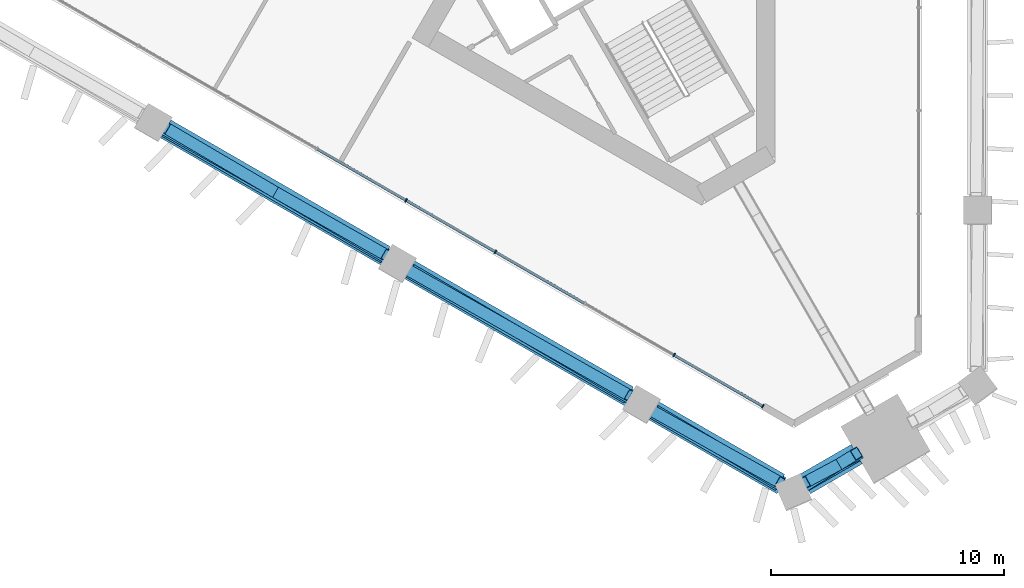
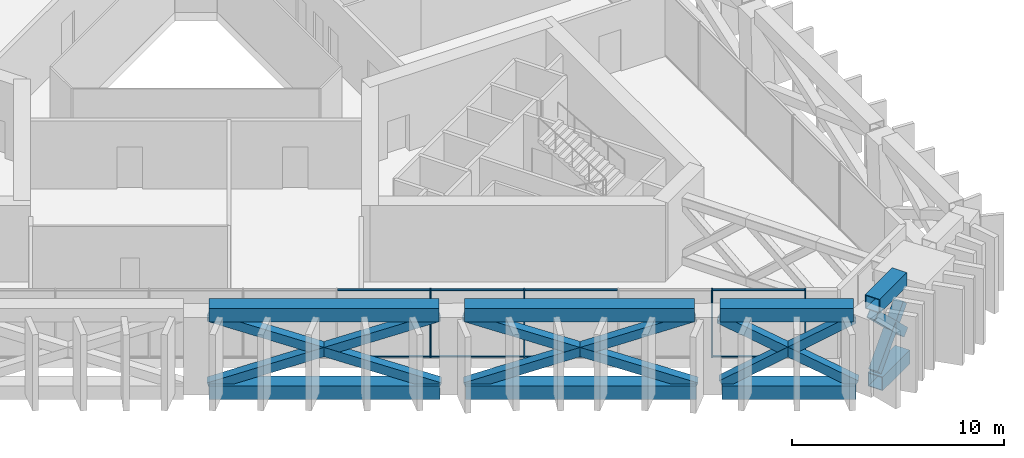
# One storey, part 3 of 18: 28 members, 1 element without a shape of its own.
"""IFC4 building model written with IfcOpenShell, lengths in metres."""

import ifcopenshell
import ifcopenshell.guid

model = None  # the IFC model being written
_history = None  # IfcOwnerHistory: only IFC2X3 demands one
_inside = {}  # id of a spatial element -> (the spatial element, [elements in it])
_under = {}  # id of a project, library or spatial element -> (it, [spatial elements below it])
_declared = {}  # id of a project -> (the project, [libraries it declares])
_typed = {}  # id of a type object -> (the type object, [elements of that type])
_made_of = {}  # id of a material, layer set ... -> (it, [elements and type objects made of it])


def new_model(schema):
    """Start an empty IFC model of exactly this schema.

    Asked for "IFC4X3", IfcOpenShell would pick the latest addendum, in which some entities
    have other attributes; the version numbers below select the first issue.
    IFC2X3 requires an IfcOwnerHistory on every rooted entity: one is made here for all.
    """
    global model, _history
    if schema == "IFC4X3":
        model = ifcopenshell.file(schema_version=(4, 3, 0, 0))
    else:
        model = ifcopenshell.file(schema=schema)
    _inside.clear()
    _under.clear()
    _declared.clear()
    _typed.clear()
    _made_of.clear()
    _history = None
    if model.schema == "IFC2X3":
        org = make("IfcOrganization", Name="unknown")
        user = make(
            "IfcPersonAndOrganization",
            ThePerson=make("IfcPerson", FamilyName="unknown"),
            TheOrganization=org,
        )
        app = make(
            "IfcApplication",
            ApplicationDeveloper=org,
            Version="unknown",
            ApplicationFullName="unknown",
            ApplicationIdentifier="unknown",
        )
        _history = make(
            "IfcOwnerHistory",
            OwningUser=user,
            OwningApplication=app,
            ChangeAction="ADDED",
            CreationDate=0,
        )
    return model


def make(cls, **values):
    """One entity of the class cls with the attributes given. An attribute that is None is left unset."""
    return model.create_entity(
        cls, **{name: value for name, value in values.items() if value is not None}
    )


def rooted(cls, **values):
    """An entity with a GlobalId (a new one), such as an element, a storey or a relation."""
    return make(cls, GlobalId=ifcopenshell.guid.new(), OwnerHistory=_history, **values)


def si_unit(unit_type, name, prefix=None):
    """IfcSIUnit, for example si_unit("LENGTHUNIT", "METRE", prefix="MILLI")."""
    return make("IfcSIUnit", UnitType=unit_type, Prefix=prefix, Name=name)


def assignment(units):
    """IfcUnitAssignment: the units of a project."""
    return None if units is None else make("IfcUnitAssignment", Units=units)


def point(xyz):
    """IfcCartesianPoint."""
    return None if xyz is None else make("IfcCartesianPoint", Coordinates=xyz)


def direction(xyz):
    """IfcDirection."""
    return None if xyz is None else make("IfcDirection", DirectionRatios=xyz)


def frame(location, z_axis=None, x_axis=None):
    """IfcAxis2Placement3D, a coordinate frame: its origin and axes. An axis left out is left unset."""
    return make(
        "IfcAxis2Placement3D",
        Location=point(location),
        Axis=direction(z_axis),
        RefDirection=direction(x_axis),
    )


def frame_2d(location, x_axis=None):
    """IfcAxis2Placement2D, a coordinate frame in the plane: its origin and x axis."""
    return make(
        "IfcAxis2Placement2D", Location=point(location), RefDirection=direction(x_axis)
    )


def origin():
    """The frame at (0, 0, 0) with its axes left unset."""
    return frame((0.0, 0.0, 0.0))


def origin_2d():
    """The frame at (0, 0) in the plane with its x axis left unset."""
    return frame_2d((0.0, 0.0))


def place(relative_to, where):
    """IfcLocalPlacement: puts the frame where relative to a parent placement (None: the world)."""
    return make(
        "IfcLocalPlacement", PlacementRelTo=relative_to, RelativePlacement=where
    )


def context(
    kind, dimensions, precision=None, world=None, true_north=None, identifier=None
):
    """IfcGeometricRepresentationContext, for example the 3D "Model" context."""
    return make(
        "IfcGeometricRepresentationContext",
        ContextIdentifier=identifier,
        ContextType=kind,
        CoordinateSpaceDimension=dimensions,
        Precision=precision,
        WorldCoordinateSystem=world,
        TrueNorth=true_north,
    )


def subcontext(parent, identifier, kind, view, scale=None):
    """IfcGeometricRepresentationSubContext, for example "Body" below "Model"."""
    return make(
        "IfcGeometricRepresentationSubContext",
        ContextIdentifier=identifier,
        ContextType=kind,
        ParentContext=parent,
        TargetScale=scale,
        TargetView=view,
    )


def project(units=None, contexts=None):
    """IfcProject with its units and contexts."""
    return rooted(
        "IfcProject",
        Name="project",
        RepresentationContexts=contexts,
        UnitsInContext=assignment(units),
    )


def spatial(cls, under=None, at=None, **own):
    """A site, building, storey or space (cls), placed at a placement, below another one or the project."""
    s = rooted(cls, ObjectPlacement=at, **own)
    if under is not None:
        _under.setdefault(under.id(), (under, []))[1].append(s)
    return s


def profile(cls, at=None, kind="AREA", **sizes):
    """A parametric profile (cls). Its sizes go by their IFC names, for example OverallWidth=200.0."""
    return make(cls, ProfileType=kind, Position=at, **sizes)


def rectangle(**sizes):
    """IfcRectangleProfileDef."""
    return profile("IfcRectangleProfileDef", **sizes)


def hollow_rectangle(**sizes):
    """IfcRectangleHollowProfileDef."""
    return profile("IfcRectangleHollowProfileDef", **sizes)


def extrude(swept, where, along, depth):
    """IfcExtrudedAreaSolid: the profile swept, set in the frame where, extruded along a direction by depth."""
    return make(
        "IfcExtrudedAreaSolid",
        SweptArea=swept,
        Position=where,
        ExtrudedDirection=direction(along),
        Depth=depth,
    )


def shape(context_of_items, identifier, shape_type, items):
    """IfcShapeRepresentation: the items that make up one representation, for example the "Body"."""
    return make(
        "IfcShapeRepresentation",
        ContextOfItems=context_of_items,
        RepresentationIdentifier=identifier,
        RepresentationType=shape_type,
        Items=items,
    )


def material(Name=None, Category=None):
    """IfcMaterial."""
    return make("IfcMaterial", Name=Name, Category=Category)


def layer(
    of_material, thickness, ventilated=None, Name=None, Category=None, Priority=None
):
    """IfcMaterialLayer: one layer of a wall or slab, of a material (None: an air gap)."""
    return make(
        "IfcMaterialLayer",
        Material=of_material,
        LayerThickness=thickness,
        IsVentilated=ventilated,
        Name=Name,
        Category=Category,
        Priority=Priority,
    )


def layer_set(layers, Name=None):
    """IfcMaterialLayerSet."""
    return make("IfcMaterialLayerSet", MaterialLayers=layers, LayerSetName=Name)


def material_profile(
    of_material, cross_section, Name=None, Category=None, Priority=None
):
    """IfcMaterialProfile: a cross section and its material."""
    return make(
        "IfcMaterialProfile",
        Name=Name,
        Material=of_material,
        Profile=cross_section,
        Priority=Priority,
        Category=Category,
    )


def profile_set(profiles, Name=None, composite=None):
    """IfcMaterialProfileSet."""
    return make(
        "IfcMaterialProfileSet",
        Name=Name,
        MaterialProfiles=profiles,
        CompositeProfile=composite,
    )


def made_of(thing, what):
    """Note that an element or type object is made of a material, layer set ...; save() writes the relation."""
    if what is not None:
        _made_of.setdefault(what.id(), (what, []))[1].append(thing)
    return thing


def type_object(cls, material=None, **own):
    """A type object (cls), such as IfcWallType, which elements share."""
    return made_of(rooted(cls, **own), material)


def element(
    cls,
    number,
    at=None,
    inside=None,
    cuts=None,
    type_object=None,
    material=None,
    context=None,
    identifier="Body",
    shape_type=None,
    held_by="IfcProductDefinitionShape",
    body=None,
    shapes=None,
    **own,
):
    """One element of the class cls, such as IfcWall. Its Tag is "e" and its number.

    at: its placement. inside: the storey or other place that contains it. cuts: it is an
    opening in that element (IfcRelVoidsElement). A single representation is given by context,
    identifier, shape_type and body (its items); several are given by shapes. held_by: the class
    of the entity that holds the representations. save() writes the other relations.
    """
    e = rooted(cls, Tag="e%d" % number, ObjectPlacement=at, **own)
    if body is not None:
        shapes = [shape(context, identifier, shape_type, body)]
    if shapes is not None:
        e.Representation = make(held_by, Representations=shapes)
    if inside is not None:
        _inside.setdefault(inside.id(), (inside, []))[1].append(e)
    if cuts is not None:
        rooted(
            "IfcRelVoidsElement", RelatingBuildingElement=cuts, RelatedOpeningElement=e
        )
    if type_object is not None:
        _typed.setdefault(type_object.id(), (type_object, []))[1].append(e)
    return made_of(e, material)


def aggregate(whole, parts):
    """IfcRelAggregates: a whole, such as a stair, and the parts it consists of."""
    return rooted("IfcRelAggregates", RelatingObject=whole, RelatedObjects=parts)


def save(model, path):
    """Write the relations noted so far, then the file.

    IfcRelAggregates (storeys below a building ...), IfcRelContainedInSpatialStructure (elements
    in a storey), IfcRelDefinesByType, IfcRelAssociatesMaterial and IfcRelDeclares: one each for
    every whole, place, type object, material and project.
    """
    for whole, parts in _under.values():
        aggregate(whole, parts)
    for where, things in _inside.values():
        rooted(
            "IfcRelContainedInSpatialStructure",
            RelatedElements=things,
            RelatingStructure=where,
        )
    for kind, things in _typed.values():
        rooted("IfcRelDefinesByType", RelatedObjects=things, RelatingType=kind)
    for what, things in _made_of.values():
        rooted("IfcRelAssociatesMaterial", RelatedObjects=things, RelatingMaterial=what)
    for by, libraries in _declared.values():
        rooted("IfcRelDeclares", RelatingContext=by, RelatedDefinitions=libraries)
    model.write(path)


model = new_model("IFC4")

# Units and contexts
model_context = context("Model", 3, precision=1e-05, world=origin(), true_north=direction((0.0, 1.0)))
body_context = subcontext(model_context, "Body", "Model", "MODEL_VIEW")
ifc_project = project(units=[si_unit("LENGTHUNIT", "METRE"), si_unit("AREAUNIT", "SQUARE_METRE"), si_unit("VOLUMEUNIT", "CUBIC_METRE"), si_unit("PLANEANGLEUNIT", "RADIAN"), si_unit("MASSUNIT", "GRAM", prefix="KILO")], contexts=[model_context])

# Site, building, storey
site_placement = place(None, origin())
site = spatial("IfcSite", under=ifc_project, at=site_placement, CompositionType="ELEMENT")
building_placement = place(site_placement, origin())
building = spatial("IfcBuilding", under=site, at=building_placement, Name="Jabali Bay Hotel Tower and Convention Centre", CompositionType="ELEMENT")
storey_placement = place(building_placement, frame((0.0, 0.0, 52.89990234375)))
storey = spatial("IfcBuildingStorey", under=building, at=storey_placement, Name="L11", CompositionType="ELEMENT", Elevation=52.89990234375)

# Members
ifc_material_1 = material(Name="Steel Q420GJC", Category="steel")
ifc_material_profile_1 = material_profile(ifc_material_1, hollow_rectangle(XDim=0.5, YDim=0.5, WallThickness=0.030029296875, at=origin_2d()), Name="Belt brace 500x500x30")
ifc_profile_set_1 = profile_set([ifc_material_profile_1], Name="Steel Q420GJC")
member_type_1 = type_object("IfcMemberType", Name="Belt brace 500x500x30", PredefinedType="BRACE", material=ifc_profile_set_1)
member_1_placement = place(storey_placement, frame((63.72802734375, 59.2763671875, 0.21923828125), z_axis=(0.816922503368, -0.463663288519, 0.343007257023), x_axis=(0.493609199547, 0.869683826527, 0.0)))
element("IfcMember", 1, at=member_1_placement, inside=storey, type_object=member_type_1, Name="Belt brace T1 F2.3-F2.4 x1", PredefinedType="BRACE", context=body_context, shape_type="SweptSolid", body=[
    extrude(hollow_rectangle(XDim=0.5, YDim=0.5, WallThickness=0.030029296875, at=origin_2d()), origin(), (0.0, 0.0, 1.0), 11.5498046875),
])
member_2_placement = place(storey_placement, frame((73.1640625, 53.828369140625, 0.21826171875), z_axis=(-0.810373063669, 0.475851500958, 0.341849157841), x_axis=(-0.506357064976, -0.862323908255, 0.0)))
element("IfcMember", 2, at=member_2_placement, inside=storey, type_object=member_type_1, Name="Belt brace T1 F2.3-F2.4 x2", PredefinedType="BRACE", context=body_context, shape_type="SweptSolid", body=[
    extrude(hollow_rectangle(XDim=0.5, YDim=0.5, WallThickness=0.030029296875, at=origin_2d()), origin(), (0.0, 0.0, 1.0), 11.5947265625),
])
member_3_placement = place(storey_placement, frame((74.203369140625, 53.228515625, 0.219970703125), z_axis=(0.816557409832, -0.463418239477, 0.344205653306), x_axis=(0.493578722925, 0.869701123534, 0.0)))
element("IfcMember", 3, at=member_3_placement, inside=storey, type_object=member_type_1, Name="Belt brace T1 F2.4-F2.5 x1", PredefinedType="BRACE", context=body_context, shape_type="SweptSolid", body=[
    extrude(hollow_rectangle(XDim=0.5, YDim=0.5, WallThickness=0.030029296875, at=origin_2d()), origin(), (0.0, 0.0, 1.0), 11.50537109375),
])
member_4_placement = place(storey_placement, frame((83.639404296875, 47.780517578125, 0.217529296875), z_axis=(-0.810771682073, 0.476021332186, 0.340665482331), x_axis=(-0.506306257768, -0.862353740262, 0.0)))
element("IfcMember", 4, at=member_4_placement, inside=storey, type_object=member_type_1, Name="Belt brace T1 F2.4-F2.5 x2", PredefinedType="BRACE", context=body_context, shape_type="SweptSolid", body=[
    extrude(hollow_rectangle(XDim=0.5, YDim=0.5, WallThickness=0.030029296875, at=origin_2d()), origin(), (0.0, 0.0, 1.0), 11.63916015625),
])
member_5_placement = place(storey_placement, frame((84.679931640625, 47.182861328125, 0.356689453125), z_axis=(0.749508950048, -0.420811982745, 0.511031906026), x_axis=(0.489565741948, 0.871966389439, 0.0)))
element("IfcMember", 5, at=member_5_placement, inside=storey, type_object=member_type_1, Name="Belt brace T1 F2.5-V5 x1", PredefinedType="BRACE", context=body_context, shape_type="SweptSolid", body=[
    extrude(hollow_rectangle(XDim=0.5, YDim=0.5, WallThickness=0.030029296875, at=origin_2d()), origin(), (0.0, 0.0, 1.0), 7.21435546875),
])
member_6_placement = place(storey_placement, frame((90.160400390625, 44.0185546875, 0.346435546875), z_axis=(-0.744949602243, 0.44174181381, 0.499914252698), x_axis=(-0.510050356603, -0.860144542347, 0.0)))
element("IfcMember", 6, at=member_6_placement, inside=storey, type_object=member_type_1, Name="Belt brace T1 F2.5-V5 x2", PredefinedType="BRACE", context=body_context, shape_type="SweptSolid", body=[
    extrude(hollow_rectangle(XDim=0.5, YDim=0.5, WallThickness=0.030029296875, at=origin_2d()), origin(), (0.0, 0.0, 1.0), 7.415771484375),
])
member_7_placement = place(storey_placement, frame((91.185546875, 44.030029296875, 0.57763671875), z_axis=(0.611289290951, 0.38108922661, 0.693611133223), x_axis=(-0.529033691944, 0.848600820638, 0.0)))
element("IfcMember", 7, at=member_7_placement, inside=storey, type_object=member_type_1, Name="Belt brace T1 V5-M2 x1", PredefinedType="BRACE", context=body_context, shape_type="SweptSolid", body=[
    extrude(hollow_rectangle(XDim=0.5, YDim=0.5, WallThickness=0.030029296875, at=origin_2d()), origin(), (0.0, 0.0, 1.0), 3.567626953125),
])
member_8_placement = place(storey_placement, frame((93.396484375, 45.337890625, 1.351806640625), z_axis=(-0.634869581618, -0.338281152166, 0.69462686129), x_axis=(0.470246250738, -0.882535247832, 0.0)))
element("IfcMember", 8, at=member_8_placement, inside=storey, type_object=member_type_1, Name="Belt brace T1 V5-M2 x2", PredefinedType="BRACE", context=body_context, shape_type="SweptSolid", body=[
    extrude(hollow_rectangle(XDim=0.5, YDim=0.5, WallThickness=0.030029296875, at=origin_2d()), origin(), (0.0, 0.0, 1.0), 3.554443359375),
])
ifc_material_profile_2 = material_profile(ifc_material_1, hollow_rectangle(XDim=0.800048828125, YDim=0.800048828125, WallThickness=0.0400390625, at=origin_2d()), Name="Belt chord 800x800x40")
ifc_profile_set_2 = profile_set([ifc_material_profile_2], Name="Steel Q420GJC")
member_type_2 = type_object("IfcMemberType", Name="Belt chord 800x800x40", PredefinedType="CHORD", material=ifc_profile_set_2)
for number, where, z_axis, x_axis, name in (
    (9, (63.725830078125, 59.2724609375, 0.0), (0.866021405433, -0.500006925284, 0.0), (0.500006925284, 0.866021405433, 0.0), "Belt chord T1 F2.3-F2.4"),
    (10, (74.201171875, 53.224609375, 0.0), (0.866021405433, -0.500006925284, 0.0), (0.500006925284, 0.866021405433, 0.0), "Belt chord T1 F2.4-F2.5"),
):
    element("IfcMember", number, at=place(storey_placement, frame(where, z_axis=z_axis, x_axis=x_axis)), inside=storey, type_object=member_type_2, Name=name, PredefinedType="CHORD", context=body_context, shape_type="SweptSolid", body=[
        extrude(hollow_rectangle(XDim=0.800048828125, YDim=0.800048828125, WallThickness=0.0400390625, at=origin_2d()), origin(), (0.0, 0.0, 1.0), 10.895751953125),
    ])
member_9_placement = place(storey_placement, frame((84.67626953125, 47.1767578125, 0.0), z_axis=(0.866014693011, -0.500018551145, 0.0), x_axis=(0.500018551145, 0.866014693011, 0.0)))
element("IfcMember", 11, at=member_9_placement, inside=storey, type_object=member_type_2, Name="Belt chord T1 F2.5-V5", PredefinedType="CHORD", context=body_context, shape_type="SweptSolid", body=[
    extrude(hollow_rectangle(XDim=0.800048828125, YDim=0.800048828125, WallThickness=0.0400390625, at=origin_2d()), origin(), (0.0, 0.0, 1.0), 6.328369140625),
])
member_10_placement = place(storey_placement, frame((91.196044921875, 44.012451171875, 0.0), z_axis=(0.866046247233, 0.49996389635, 0.0), x_axis=(-0.49996389635, 0.866046247233, 0.0)))
element("IfcMember", 12, at=member_10_placement, inside=storey, type_object=member_type_2, Name="Belt chord T1 V5-M2", PredefinedType="CHORD", context=body_context, shape_type="SweptSolid", body=[
    extrude(hollow_rectangle(XDim=0.800048828125, YDim=0.800048828125, WallThickness=0.0400390625, at=origin_2d()), origin(), (0.0, 0.0, 1.0), 2.567626953125),
])
member_11_placement = place(storey_placement, frame((63.770263671875, 59.349365234375, 4.400146484375), z_axis=(0.866027064346, -0.499997123812, 0.0), x_axis=(0.499997123812, 0.866027064346, 0.0)))
element("IfcMember", 13, at=member_11_placement, inside=storey, type_object=member_type_2, Name="Belt chord T1 F2.3-F2.4", PredefinedType="CHORD", context=body_context, shape_type="SweptSolid", body=[
    extrude(hollow_rectangle(XDim=0.800048828125, YDim=0.800048828125, WallThickness=0.0400390625, at=origin_2d()), origin(), (0.0, 0.0, 1.0), 10.8486328125),
])
member_12_placement = place(storey_placement, frame((74.204833984375, 53.324951171875, 4.400146484375), z_axis=(0.866022945871, -0.500004257206, 0.0), x_axis=(0.500004257206, 0.866022945871, 0.0)))
element("IfcMember", 14, at=member_12_placement, inside=storey, type_object=member_type_2, Name="Belt chord T1 F2.4-F2.5", PredefinedType="CHORD", context=body_context, shape_type="SweptSolid", body=[
    extrude(hollow_rectangle(XDim=0.800048828125, YDim=0.800048828125, WallThickness=0.0400390625, at=origin_2d()), origin(), (0.0, 0.0, 1.0), 10.84912109375),
])
member_13_placement = place(storey_placement, frame((84.639404296875, 47.300537109375, 4.400146484375), z_axis=(0.86602669382, -0.499997765587, 0.0), x_axis=(0.499997765587, 0.86602669382, 0.0)))
element("IfcMember", 15, at=member_13_placement, inside=storey, type_object=member_type_2, Name="Belt chord T1 F2.5-V5", PredefinedType="CHORD", context=body_context, shape_type="SweptSolid", body=[
    extrude(hollow_rectangle(XDim=0.800048828125, YDim=0.800048828125, WallThickness=0.0400390625, at=origin_2d()), origin(), (0.0, 0.0, 1.0), 6.29443359375),
])
member_14_placement = place(storey_placement, frame((91.1298828125, 44.1533203125, 4.400146484375), z_axis=(0.866040749187, 0.499973420042, 0.0), x_axis=(-0.499973420042, 0.866040749187, 0.0)))
element("IfcMember", 16, at=member_14_placement, inside=storey, type_object=member_type_2, Name="Belt chord T1 V5-M2", PredefinedType="CHORD", context=body_context, shape_type="SweptSolid", body=[
    extrude(hollow_rectangle(XDim=0.800048828125, YDim=0.800048828125, WallThickness=0.0400390625, at=origin_2d()), origin(), (0.0, 0.0, 1.0), 2.554443359375),
])

# Curtain wall, members
ifc_material_2 = material(Name="Aluminium and glass", Category="aluminium")
ifc_layer = layer(ifc_material_2, 0.159912109375)
ifc_layer_set = layer_set([ifc_layer], Name="Aluminium and glass")
curtain_wall_type = type_object("IfcCurtainWallType", Name="CW3 curtain wall", PredefinedType="NOTDEFINED", material=ifc_layer_set)
curtain_wall_placement = place(storey_placement, origin())
curtain_wall = element("IfcCurtainWall", 17, at=curtain_wall_placement, inside=storey, type_object=curtain_wall_type, Name="CW3 curtain wall south-west face L11", PredefinedType="NOTDEFINED")
ifc_material_3 = material(Name="Aluminium", Category="aluminium")
ifc_material_profile_3 = material_profile(ifc_material_3, rectangle(XDim=0.159912109375, YDim=0.06005859375, at=origin_2d()), Name="CW3 mullion 60 x 160")
ifc_profile_set_3 = profile_set([ifc_material_profile_3], Name="Aluminium")
member_type_3 = type_object("IfcMemberType", Name="CW3 mullion 60 x 160", PredefinedType="MULLION", material=ifc_profile_set_3)
member_15_placement = place(storey_placement, frame((89.3515625, 47.421875, 0.0), z_axis=(0.0, 0.0, 1.0), x_axis=(-0.500000005895, -0.866025400381, 0.0)))
member_15 = element("IfcMember", 18, at=member_15_placement, type_object=member_type_3, Name="CW3 mullion 1", PredefinedType="MULLION", context=body_context, shape_type="SweptSolid", body=[
    extrude(rectangle(XDim=0.159912109375, YDim=0.06005859375, at=origin_2d()), origin(), (0.0, 0.0, 1.0), 3.900146484375),
])
member_16_placement = place(storey_placement, frame((85.547119140625, 49.618408203125, 0.0), z_axis=(0.0, 0.0, 1.0), x_axis=(-0.500000005895, -0.866025400381, 0.0)))
member_16 = element("IfcMember", 19, at=member_16_placement, type_object=member_type_3, Name="CW3 mullion 2", PredefinedType="MULLION", context=body_context, shape_type="SweptSolid", body=[
    extrude(rectangle(XDim=0.159912109375, YDim=0.06005859375, at=origin_2d()), origin(), (0.0, 0.0, 1.0), 3.900146484375),
])
member_17_placement = place(storey_placement, frame((77.886962890625, 54.041015625, 0.0), z_axis=(0.0, 0.0, 1.0), x_axis=(-0.500000005895, -0.866025400381, 0.0)))
member_17 = element("IfcMember", 20, at=member_17_placement, type_object=member_type_3, Name="CW3 mullion 4", PredefinedType="MULLION", context=body_context, shape_type="SweptSolid", body=[
    extrude(rectangle(XDim=0.159912109375, YDim=0.06005859375, at=origin_2d()), origin(), (0.0, 0.0, 1.0), 3.900146484375),
])
member_18_placement = place(storey_placement, frame((74.056640625, 56.25244140625, 0.0), z_axis=(0.0, 0.0, 1.0), x_axis=(-0.500000005895, -0.866025400381, 0.0)))
member_18 = element("IfcMember", 21, at=member_18_placement, type_object=member_type_3, Name="CW3 mullion 5", PredefinedType="MULLION", context=body_context, shape_type="SweptSolid", body=[
    extrude(rectangle(XDim=0.159912109375, YDim=0.06005859375, at=origin_2d()), origin(), (0.0, 0.0, 1.0), 3.900146484375),
])
ifc_material_profile_4 = material_profile(ifc_material_3, rectangle(XDim=0.1201171875, YDim=0.06005859375, at=origin_2d()), Name="CW3 transom 60 x 120")
ifc_profile_set_4 = profile_set([ifc_material_profile_4], Name="Aluminium")
member_type_4 = type_object("IfcMemberType", Name="CW3 transom 60 x 120", PredefinedType="USERDEFINED", material=ifc_profile_set_4)
member_19_placement = place(storey_placement, frame((89.325439453125, 47.43701171875, 0.030029296875), z_axis=(-0.866032633092, 0.499987478263, 0.0), x_axis=(-0.499987478263, -0.866032633092, 0.0)))
member_19 = element("IfcMember", 22, at=member_19_placement, type_object=member_type_4, Name="CW3 transom 1.1", ObjectType="TRANSOM", PredefinedType="USERDEFINED", context=body_context, shape_type="SweptSolid", body=[
    extrude(rectangle(XDim=0.1201171875, YDim=0.06005859375, at=origin_2d()), origin(), (0.0, 0.0, 1.0), 4.33251953125),
])
member_20_placement = place(storey_placement, frame((89.325439453125, 47.43701171875, 3.8701171875), z_axis=(-0.866032633092, 0.499987478263, 0.0), x_axis=(-0.499987478263, -0.866032633092, 0.0)))
member_20 = element("IfcMember", 23, at=member_20_placement, type_object=member_type_4, Name="CW3 transom 1.2", ObjectType="TRANSOM", PredefinedType="USERDEFINED", context=body_context, shape_type="SweptSolid", body=[
    extrude(rectangle(XDim=0.1201171875, YDim=0.06005859375, at=origin_2d()), origin(), (0.0, 0.0, 1.0), 4.33251953125),
])
member_21_placement = place(storey_placement, frame((81.691162109375, 51.8447265625, 0.030029296875), z_axis=(-0.86602716698, 0.499996946043, 0.0), x_axis=(-0.499996946043, -0.86602716698, 0.0)))
member_21 = element("IfcMember", 24, at=member_21_placement, type_object=member_type_4, Name="CW3 transom 3.1", ObjectType="TRANSOM", PredefinedType="USERDEFINED", context=body_context, shape_type="SweptSolid", body=[
    extrude(rectangle(XDim=0.1201171875, YDim=0.06005859375, at=origin_2d()), origin(), (0.0, 0.0, 1.0), 4.36279296875),
])
member_22_placement = place(storey_placement, frame((81.691162109375, 51.8447265625, 3.8701171875), z_axis=(-0.86602716698, 0.499996946043, 0.0), x_axis=(-0.499996946043, -0.86602716698, 0.0)))
member_22 = element("IfcMember", 25, at=member_22_placement, type_object=member_type_4, Name="CW3 transom 3.2", ObjectType="TRANSOM", PredefinedType="USERDEFINED", context=body_context, shape_type="SweptSolid", body=[
    extrude(rectangle(XDim=0.1201171875, YDim=0.06005859375, at=origin_2d()), origin(), (0.0, 0.0, 1.0), 4.36279296875),
])
member_23_placement = place(storey_placement, frame((77.86083984375, 54.05615234375, 0.030029296875), z_axis=(-0.86602716698, 0.499996946043, 0.0), x_axis=(-0.499996946043, -0.86602716698, 0.0)))
member_23 = element("IfcMember", 26, at=member_23_placement, type_object=member_type_4, Name="CW3 transom 4.1", ObjectType="TRANSOM", PredefinedType="USERDEFINED", context=body_context, shape_type="SweptSolid", body=[
    extrude(rectangle(XDim=0.1201171875, YDim=0.06005859375, at=origin_2d()), origin(), (0.0, 0.0, 1.0), 4.36279296875),
])
member_24_placement = place(storey_placement, frame((77.86083984375, 54.05615234375, 3.8701171875), z_axis=(-0.86602716698, 0.499996946043, 0.0), x_axis=(-0.499996946043, -0.86602716698, 0.0)))
member_24 = element("IfcMember", 27, at=member_24_placement, type_object=member_type_4, Name="CW3 transom 4.2", ObjectType="TRANSOM", PredefinedType="USERDEFINED", context=body_context, shape_type="SweptSolid", body=[
    extrude(rectangle(XDim=0.1201171875, YDim=0.06005859375, at=origin_2d()), origin(), (0.0, 0.0, 1.0), 4.36279296875),
])
member_25_placement = place(storey_placement, frame((74.03076171875, 56.267333984375, 0.030029296875), z_axis=(-0.86602716698, 0.499996946043, 0.0), x_axis=(-0.499996946043, -0.86602716698, 0.0)))
member_25 = element("IfcMember", 28, at=member_25_placement, type_object=member_type_4, Name="CW3 transom 5.1", ObjectType="TRANSOM", PredefinedType="USERDEFINED", context=body_context, shape_type="SweptSolid", body=[
    extrude(rectangle(XDim=0.1201171875, YDim=0.06005859375, at=origin_2d()), origin(), (0.0, 0.0, 1.0), 4.36279296875),
])
member_26_placement = place(storey_placement, frame((74.03076171875, 56.267333984375, 3.8701171875), z_axis=(-0.86602716698, 0.499996946043, 0.0), x_axis=(-0.499996946043, -0.86602716698, 0.0)))
member_26 = element("IfcMember", 29, at=member_26_placement, type_object=member_type_4, Name="CW3 transom 5.2", ObjectType="TRANSOM", PredefinedType="USERDEFINED", context=body_context, shape_type="SweptSolid", body=[
    extrude(rectangle(XDim=0.1201171875, YDim=0.06005859375, at=origin_2d()), origin(), (0.0, 0.0, 1.0), 4.36279296875),
])
aggregate(curtain_wall, [member_15, member_16, member_17, member_18, member_19, member_20, member_21, member_22, member_23, member_24, member_25, member_26])

save(model, "model.ifc")
